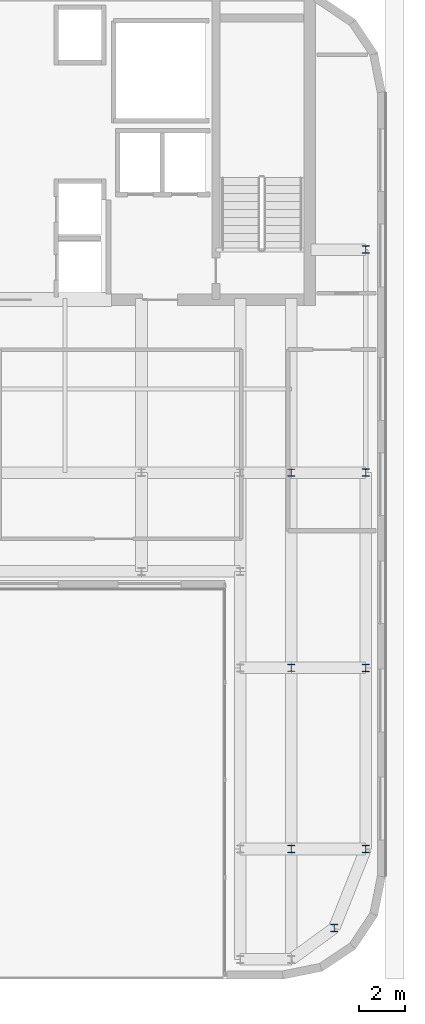
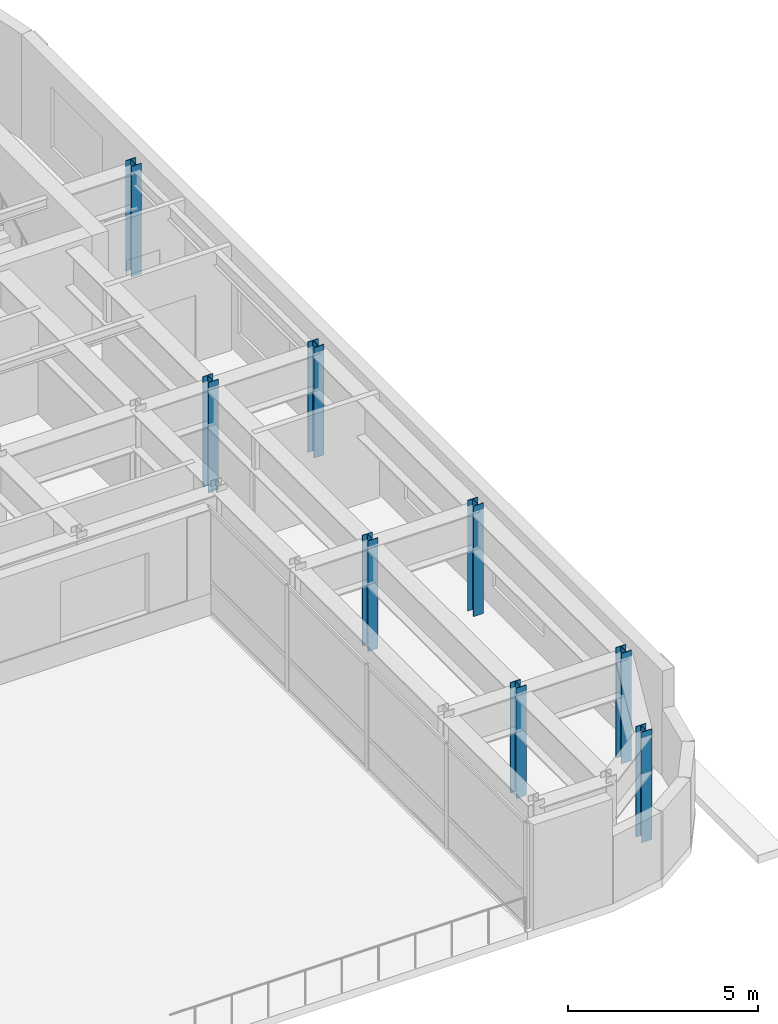
# One storey, part 2 of 16: 8 columns.
"""IFC4 building model written with IfcOpenShell, lengths in metres."""

from ifc_helpers import new_model, si_unit, direction, frame, origin, origin_2d, place, context, subcontext, project, spatial, i_section, extrude, source, transform, mapped, material, material_profile, profile_set, type_object, type_shapes, element, save


model = new_model("IFC4")

# Units and contexts
model_context = context("Model", 3, precision=1e-05, world=origin(), true_north=direction((0.0, 1.0)))
body_context = subcontext(model_context, "Body", "Model", "MODEL_VIEW")
ifc_project = project(units=[si_unit("LENGTHUNIT", "METRE"), si_unit("AREAUNIT", "SQUARE_METRE"), si_unit("VOLUMEUNIT", "CUBIC_METRE"), si_unit("PLANEANGLEUNIT", "RADIAN"), si_unit("MASSUNIT", "GRAM", prefix="KILO")], contexts=[model_context])

# Site, building, storey
site_placement = place(None, origin())
site = spatial("IfcSite", under=ifc_project, at=site_placement, CompositionType="ELEMENT")
building_placement = place(site_placement, origin())
building = spatial("IfcBuilding", under=site, at=building_placement, Name="Tolvann Quenvar Hotel", CompositionType="ELEMENT")
storey_placement = place(building_placement, frame((0.0, 0.0, 241.64990234375)))
storey = spatial("IfcBuildingStorey", under=building, at=storey_placement, Name="L64", CompositionType="ELEMENT", Elevation=241.64990234375)

# Columns
ifc_material = material(Name="Steel Grade 350", Category="steel")
ifc_material_profile_1 = material_profile(ifc_material, i_section(OverallWidth=0.30908203125, OverallDepth=0.321044921875, WebThickness=0.013916015625, FlangeThickness=0.021728515625, FilletRadius=0.0166015625, at=origin_2d()), Name="310UC137")
ifc_profile_set_1 = profile_set([ifc_material_profile_1], Name="Steel Grade 350")
column_type_1 = type_object("IfcColumnType", Name="COL_310UC137", PredefinedType="COLUMN", material=ifc_profile_set_1)
shared_shape_1 = source(origin(), body_context, "Body", "SweptSolid", [
    extrude(i_section(OverallWidth=0.30908203125, OverallDepth=0.321044921875, WebThickness=0.013916015625, FlangeThickness=0.021728515625, FilletRadius=0.0166015625, at=origin_2d()), origin(), (0.0, 0.0, 1.0), 3.550048828125),
])
type_shapes(column_type_1, [shared_shape_1])
for number, where, z_axis, x_axis, name in (
    (1, (36.800048828125, 4.800048828125, 0.0), (0.0, 0.0, 1.0), (1.0, 0.0, 0.0), "Column G2 (L64)"),
    (2, (38.14990234375, 8.199951171875, 0.0), (0.0, 0.0, 1.0), (1.0, 0.0, 0.0), "Column G3 (L64)"),
    (3, (38.14990234375, 16.0, 0.0), (0.0, 0.0, 1.0), (1.0, 0.0, 0.0), "Column G4 (L64)"),
    (4, (38.14990234375, 24.39990234375, 0.0), (0.0, 0.0, 1.0), (1.0, 0.0, 0.0), "Column G5 (L64)"),
    (5, (38.14990234375, 34.0, 0.0), (0.0, 0.0, 1.0), (1.0, 0.0, 0.0), "Column GD6 (L64)"),
):
    element("IfcColumn", number, at=place(storey_placement, frame(where, z_axis=z_axis, x_axis=x_axis)), inside=storey, type_object=column_type_1, Name=name, PredefinedType="COLUMN", context=body_context, shape_type="MappedRepresentation", body=[
        mapped(shared_shape_1, transform((0.0, 0.0, 0.0), x_axis=(1.0, 0.0, 0.0), y_axis=(0.0, 1.0, 0.0), z_axis=(0.0, 0.0, 1.0), scale=1.0)),
    ])
ifc_material_profile_2 = material_profile(ifc_material, i_section(OverallWidth=0.306884765625, OverallDepth=0.31494140625, WebThickness=0.011962890625, FlangeThickness=0.018798828125, FilletRadius=0.0166015625, at=origin_2d()), Name="310UC118")
ifc_profile_set_2 = profile_set([ifc_material_profile_2], Name="Steel Grade 350")
column_type_2 = type_object("IfcColumnType", Name="COL_310UC118", PredefinedType="COLUMN", material=ifc_profile_set_2)
shared_shape_2 = source(origin(), body_context, "Body", "SweptSolid", [
    extrude(i_section(OverallWidth=0.306884765625, OverallDepth=0.31494140625, WebThickness=0.011962890625, FlangeThickness=0.018798828125, FilletRadius=0.0166015625, at=origin_2d()), origin(), (0.0, 0.0, 1.0), 3.550048828125),
])
type_shapes(column_type_2, [shared_shape_2])
for number, where, z_axis, x_axis, name in (
    (6, (34.949951171875, 8.199951171875, 0.0), (0.0, 0.0, 1.0), (1.0, 0.0, 0.0), "Column F3 (L64)"),
    (7, (34.949951171875, 16.0, 0.0), (0.0, 0.0, 1.0), (1.0, 0.0, 0.0), "Column F4 (L64)"),
    (8, (34.949951171875, 24.39990234375, 0.0), (0.0, 0.0, 1.0), (1.0, 0.0, 0.0), "Column F5 (L64)"),
):
    element("IfcColumn", number, at=place(storey_placement, frame(where, z_axis=z_axis, x_axis=x_axis)), inside=storey, type_object=column_type_2, Name=name, PredefinedType="COLUMN", context=body_context, shape_type="MappedRepresentation", body=[
        mapped(shared_shape_2, transform((0.0, 0.0, 0.0), x_axis=(1.0, 0.0, 0.0), y_axis=(0.0, 1.0, 0.0), z_axis=(0.0, 0.0, 1.0), scale=1.0)),
    ])

save(model, "model.ifc")
